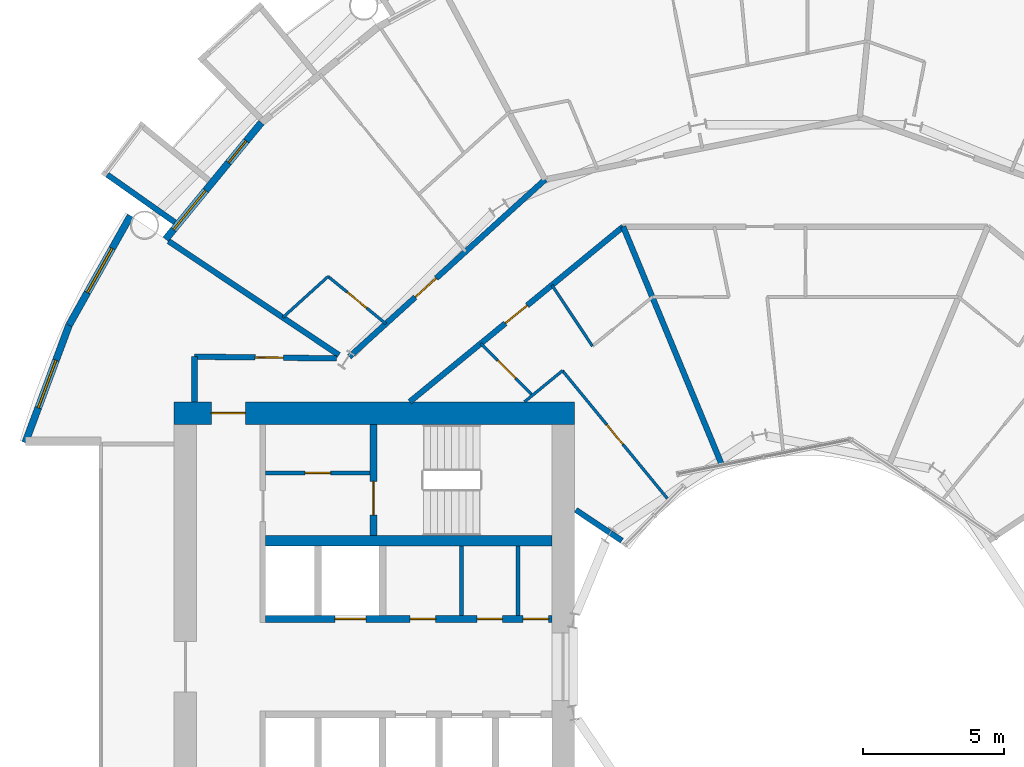
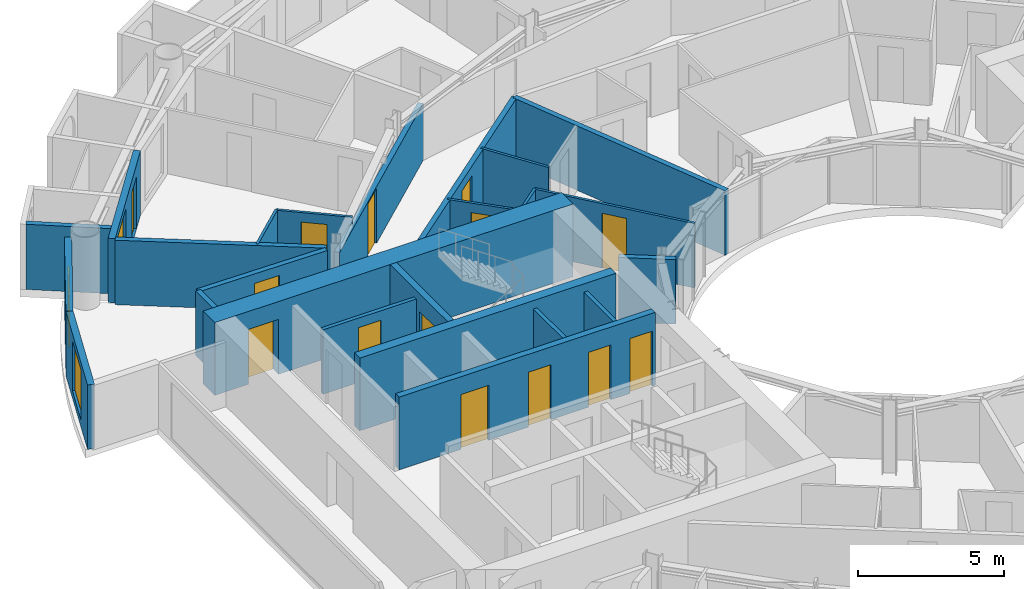
# One storey, part 18 of 26: 24 walls, 14 doors, 3 windows, 17 openings.
"""IFC4 building model written with IfcOpenShell, lengths in metres."""

from ifc_helpers import new_model, si_unit, direction, frame, frame_2d, origin, place, context, subcontext, project, spatial, rectangle, extrude, material, layer, layer_set, type_object, element, fill, save


model = new_model("IFC4")

# Units and contexts
model_context = context("Model", 3, precision=1e-05, world=origin(), true_north=direction((0.0, 1.0)))
body_context = subcontext(model_context, "Body", "Model", "MODEL_VIEW")
ifc_project = project(units=[si_unit("LENGTHUNIT", "METRE"), si_unit("AREAUNIT", "SQUARE_METRE"), si_unit("VOLUMEUNIT", "CUBIC_METRE"), si_unit("PLANEANGLEUNIT", "RADIAN"), si_unit("MASSUNIT", "GRAM", prefix="KILO")], contexts=[model_context])

# Site, building, storey
site_placement = place(None, origin())
site = spatial("IfcSite", under=ifc_project, at=site_placement, CompositionType="ELEMENT")
building_placement = place(site_placement, origin())
building = spatial("IfcBuilding", under=site, at=building_placement, Name="Maasbend Ring Residences", CompositionType="ELEMENT")
storey_placement = place(building_placement, frame((0.0, 0.0, 35.0)))
storey = spatial("IfcBuildingStorey", under=building, at=storey_placement, Name="L09", CompositionType="ELEMENT", Elevation=35.0)

# Wall, openings, doors
ifc_material_1 = material(Name="Concrete C70/85", Category="concrete")
ifc_layer_1 = layer(ifc_material_1, 0.25)
ifc_layer_set_1 = layer_set([ifc_layer_1], Name="Concrete C70/85")
wall_type_1 = type_object("IfcWallType", Name="CORE WALL 250 C70/85", PredefinedType="SHEAR", material=ifc_layer_set_1)
wall_1_placement = place(storey_placement, frame((-19.14990234375, 1.699951171875, 0.0), z_axis=(0.0, 0.0, 1.0), x_axis=(1.0, 0.0, 0.0)))
wall_1 = element("IfcWall", 1, at=wall_1_placement, inside=storey, type_object=wall_type_1, Name="L09 core W wall SPS", PredefinedType="SHEAR", context=body_context, shape_type="SweptSolid", body=[
    extrude(rectangle(XDim=10.14990234375, YDim=0.25, at=frame_2d((5.074951171875, 0.0))), origin(), (0.0, 0.0, 1.0), 3.050048828125),
])
opening_1_placement = place(wall_1_placement, frame((2.449951171875, 0.0, 0.0)))
opening_1 = element("IfcOpeningElement", 2, at=opening_1_placement, cuts=wall_1, Name="Opening LD-W0905", PredefinedType="OPENING", context=body_context, shape_type="SweptSolid", body=[
    extrude(rectangle(XDim=1.10009765625, YDim=2.300048828125, at=frame_2d((0.550048828125, 1.14990234375))), frame((0.0, 0.135009765625, 0.0), z_axis=(0.0, -1.0, 0.0), x_axis=(1.0, 0.0, 0.0)), (0.0, 0.0, 1.0), 0.27001953125),
])
opening_2_placement = place(wall_1_placement, frame((9.137451171875, 0.0, 0.0)))
opening_2 = element("IfcOpeningElement", 3, at=opening_2_placement, cuts=wall_1, Name="Opening D-W0906", PredefinedType="OPENING", context=body_context, shape_type="SweptSolid", body=[
    extrude(rectangle(XDim=0.89990234375, YDim=2.300048828125, at=frame_2d((0.449951171875, 1.14990234375))), frame((0.0, 0.135009765625, 0.0), z_axis=(0.0, -1.0, 0.0), x_axis=(1.0, 0.0, 0.0)), (0.0, 0.0, 1.0), 0.27001953125),
])
opening_3_placement = place(wall_1_placement, frame((7.5, 0.0, 0.0)))
opening_3 = element("IfcOpeningElement", 4, at=opening_3_placement, cuts=wall_1, Name="Opening D-W0907", PredefinedType="OPENING", context=body_context, shape_type="SweptSolid", body=[
    extrude(rectangle(XDim=0.89990234375, YDim=2.300048828125, at=frame_2d((0.449951171875, 1.14990234375))), frame((0.0, 0.135009765625, 0.0), z_axis=(0.0, -1.0, 0.0), x_axis=(1.0, 0.0, 0.0)), (0.0, 0.0, 1.0), 0.27001953125),
])
opening_4_placement = place(wall_1_placement, frame((5.125, 0.0, 0.0)))
opening_4 = element("IfcOpeningElement", 5, at=opening_4_placement, cuts=wall_1, Name="Opening D-W0908", PredefinedType="OPENING", context=body_context, shape_type="SweptSolid", body=[
    extrude(rectangle(XDim=0.89990234375, YDim=2.300048828125, at=frame_2d((0.449951171875, 1.14990234375))), frame((0.0, 0.135009765625, 0.0), z_axis=(0.0, -1.0, 0.0), x_axis=(1.0, 0.0, 0.0)), (0.0, 0.0, 1.0), 0.27001953125),
])
ifc_material_2 = material(Name="Stainless steel 316", Category="steel")
door_type_1 = type_object("IfcDoorType", Name="LANDING DOOR 1100 X 2300 FD60", OperationType="DOUBLE_DOOR_SLIDING", PredefinedType="DOOR", material=ifc_material_2)
door_1_placement = place(opening_1_placement, origin())
door_1 = element("IfcDoor", 6, at=door_1_placement, inside=storey, type_object=door_type_1, Name="Landing door SV-W L09", OperationType="DOUBLE_DOOR_SLIDING", OverallHeight=2.300048828125, OverallWidth=1.10009765625, PredefinedType="DOOR", context=body_context, shape_type="SweptSolid", body=[
    extrude(rectangle(XDim=1.10009765625, YDim=2.300048828125, at=frame_2d((0.550048828125, 1.14990234375))), frame((0.0, 0.02490234375, 0.0), z_axis=(0.0, -1.0, 0.0), x_axis=(1.0, 0.0, 0.0)), (0.0, 0.0, 1.0), 0.050048828125),
])
fill(opening_1, door_1)
ifc_material_3 = material(Name="Steel, powder coated", Category="steel")
door_type_2 = type_object("IfcDoorType", Name="ROOM DOOR 900 X 2300 FD30S", OperationType="NOTDEFINED", PredefinedType="DOOR", material=ifc_material_3)
door_2_placement = place(opening_2_placement, origin())
door_2 = element("IfcDoor", 7, at=door_2_placement, inside=storey, type_object=door_type_2, Name="Room door L09", OperationType="SINGLE_SWING_LEFT", OverallHeight=2.300048828125, OverallWidth=0.89990234375, PredefinedType="DOOR", context=body_context, shape_type="SweptSolid", body=[
    extrude(rectangle(XDim=0.89990234375, YDim=2.300048828125, at=frame_2d((0.449951171875, 1.14990234375))), frame((0.0, 0.02490234375, 0.0), z_axis=(0.0, -1.0, 0.0), x_axis=(1.0, 0.0, 0.0)), (0.0, 0.0, 1.0), 0.050048828125),
])
fill(opening_2, door_2)
door_3_placement = place(opening_3_placement, origin())
door_3 = element("IfcDoor", 8, at=door_3_placement, inside=storey, type_object=door_type_2, Name="Room door L09", OperationType="SINGLE_SWING_LEFT", OverallHeight=2.300048828125, OverallWidth=0.89990234375, PredefinedType="DOOR", context=body_context, shape_type="SweptSolid", body=[
    extrude(rectangle(XDim=0.89990234375, YDim=2.300048828125, at=frame_2d((0.449951171875, 1.14990234375))), frame((0.0, 0.02490234375, 0.0), z_axis=(0.0, -1.0, 0.0), x_axis=(1.0, 0.0, 0.0)), (0.0, 0.0, 1.0), 0.050048828125),
])
fill(opening_3, door_3)
door_4_placement = place(opening_4_placement, origin())
door_4 = element("IfcDoor", 9, at=door_4_placement, inside=storey, type_object=door_type_2, Name="Room door L09", OperationType="SINGLE_SWING_LEFT", OverallHeight=2.300048828125, OverallWidth=0.89990234375, PredefinedType="DOOR", context=body_context, shape_type="SweptSolid", body=[
    extrude(rectangle(XDim=0.89990234375, YDim=2.300048828125, at=frame_2d((0.449951171875, 1.14990234375))), frame((0.0, 0.02490234375, 0.0), z_axis=(0.0, -1.0, 0.0), x_axis=(1.0, 0.0, 0.0)), (0.0, 0.0, 1.0), 0.050048828125),
])
fill(opening_4, door_4)

# Wall, opening, door
wall_2_placement = place(storey_placement, frame((-15.324951171875, 8.60009765625, 0.0), z_axis=(0.0, 0.0, 1.0), x_axis=(0.0, -1.0, 0.0)))
wall_2 = element("IfcWall", 10, at=wall_2_placement, inside=storey, type_object=wall_type_1, Name="L09 core W wall STES", PredefinedType="SHEAR", context=body_context, shape_type="SweptSolid", body=[
    extrude(rectangle(XDim=3.9501953125, YDim=0.25, at=frame_2d((1.97509765625, 0.0))), origin(), (0.0, 0.0, 1.0), 3.050048828125),
])
opening_5_placement = place(wall_2_placement, frame((2.02490234375, 0.0, 0.0)))
opening_5 = element("IfcOpeningElement", 11, at=opening_5_placement, cuts=wall_2, Name="Opening D-W0911", PredefinedType="OPENING", context=body_context, shape_type="SweptSolid", body=[
    extrude(rectangle(XDim=1.199951171875, YDim=2.300048828125, at=frame_2d((0.60009765625, 1.14990234375))), frame((0.0, 0.135009765625, 0.0), z_axis=(0.0, -1.0, 0.0), x_axis=(1.0, 0.0, 0.0)), (0.0, 0.0, 1.0), 0.27001953125),
])
ifc_material_4 = material(Name="Steel, powder coated", Category="steel")
door_type_3 = type_object("IfcDoorType", Name="STAIR DOOR 1200 X 2300 FD60", OperationType="NOTDEFINED", PredefinedType="DOOR", material=ifc_material_4)
door_5_placement = place(opening_5_placement, origin())
door_5 = element("IfcDoor", 12, at=door_5_placement, inside=storey, type_object=door_type_3, Name="Stair door ST-W L09", OperationType="SINGLE_SWING_LEFT", OverallHeight=2.300048828125, OverallWidth=1.199951171875, PredefinedType="DOOR", context=body_context, shape_type="SweptSolid", body=[
    extrude(rectangle(XDim=1.199951171875, YDim=2.300048828125, at=frame_2d((0.60009765625, 1.14990234375))), frame((0.0, 0.02490234375, 0.0), z_axis=(0.0, -1.0, 0.0), x_axis=(1.0, 0.0, 0.0)), (0.0, 0.0, 1.0), 0.050048828125),
])
fill(opening_5, door_5)

# Wall
ifc_material_5 = material(Name="Concrete C70/85", Category="concrete")
ifc_layer_2 = layer(ifc_material_5, 0.375)
ifc_layer_set_2 = layer_set([ifc_layer_2], Name="Concrete C70/85")
wall_type_2 = type_object("IfcWallType", Name="CORE WALL 375 C70/85", PredefinedType="SHEAR", material=ifc_layer_set_2)
wall_3_placement = place(storey_placement, frame((-9.0, 4.46240234375, 0.0), z_axis=(0.0, 0.0, 1.0), x_axis=(-1.0, 0.0, 0.0)))
element("IfcWall", 13, at=wall_3_placement, inside=storey, type_object=wall_type_2, Name="L09 core W wall BS", PredefinedType="SHEAR", context=body_context, shape_type="SweptSolid", body=[
    extrude(rectangle(XDim=10.14990234375, YDim=0.375, at=frame_2d((5.074951171875, 0.0))), origin(), (0.0, 0.0, 1.0), 3.050048828125),
])

# Wall, opening, door
ifc_material_6 = material(Name="Concrete C70/85", Category="concrete")
ifc_layer_3 = layer(ifc_material_6, 0.800048828125)
ifc_layer_set_3 = layer_set([ifc_layer_3], Name="Concrete C70/85")
wall_type_3 = type_object("IfcWallType", Name="CORE WALL 800 C70/85", PredefinedType="SHEAR", material=ifc_layer_set_3)
wall_4_placement = place(storey_placement, frame((-8.199951171875, 9.0, 0.0), z_axis=(0.0, 0.0, 1.0), x_axis=(-1.0, 0.0, 0.0)))
wall_4 = element("IfcWall", 14, at=wall_4_placement, inside=storey, type_object=wall_type_3, Name="L09 core W wall PS", PredefinedType="SHEAR", context=body_context, shape_type="SweptSolid", body=[
    extrude(rectangle(XDim=14.199951171875, YDim=0.800048828125, at=frame_2d((7.10009765625, 0.0))), origin(), (0.0, 0.0, 1.0), 3.050048828125),
])
opening_6_placement = place(wall_4_placement, frame((11.675048828125, 0.0, 0.0)))
opening_6 = element("IfcOpeningElement", 15, at=opening_6_placement, cuts=wall_4, Name="Opening D-W0915", PredefinedType="OPENING", context=body_context, shape_type="SweptSolid", body=[
    extrude(rectangle(XDim=1.199951171875, YDim=2.300048828125, at=frame_2d((0.60009765625, 1.14990234375))), frame((0.0, 0.41015625, 0.0), z_axis=(0.0, -1.0, 0.0), x_axis=(1.0, 0.0, 0.0)), (0.0, 0.0, 1.0), 0.820068359375),
])
ifc_material_7 = material(Name="Steel, powder coated", Category="steel")
door_type_4 = type_object("IfcDoorType", Name="CORRIDOR DOOR 1200 X 2300 FD30S", OperationType="NOTDEFINED", PredefinedType="DOOR", material=ifc_material_7)
door_6_placement = place(opening_6_placement, origin())
door_6 = element("IfcDoor", 16, at=door_6_placement, inside=storey, type_object=door_type_4, Name="Corridor door L09", OperationType="SINGLE_SWING_LEFT", OverallHeight=2.300048828125, OverallWidth=1.199951171875, PredefinedType="DOOR", context=body_context, shape_type="SweptSolid", body=[
    extrude(rectangle(XDim=1.199951171875, YDim=2.300048828125, at=frame_2d((0.60009765625, 1.14990234375))), frame((0.0, 0.02490234375, 0.0), z_axis=(0.0, -1.0, 0.0), x_axis=(1.0, 0.0, 0.0)), (0.0, 0.0, 1.0), 0.050048828125),
])
fill(opening_6, door_6)

ifc_material_8 = material(Name="Concrete C30/37", Category="concrete")
ifc_layer_4 = layer(ifc_material_8, 0.199951171875)
ifc_layer_set_4 = layer_set([ifc_layer_4], Name="Concrete C30/37")
wall_type_4 = type_object("IfcWallType", Name="CORRIDOR WALL 200 CONCRETE", PredefinedType="PARTITIONING", material=ifc_layer_set_4)
wall_5_placement = place(storey_placement, frame((-21.675048828125, 11.0, 0.0), z_axis=(0.0, 0.0, 1.0), x_axis=(0.999926652916, -0.012111514691, 0.0)))
wall_5 = element("IfcWall", 17, at=wall_5_placement, inside=storey, type_object=wall_type_4, Name="U-L09-w095", PredefinedType="PARTITIONING", context=body_context, shape_type="SweptSolid", body=[
    extrude(rectangle(XDim=5.03955078125, YDim=0.199951171875, at=frame_2d((2.519775390625, 0.0))), origin(), (0.0, 0.0, 1.0), 2.699951171875),
])
opening_7_placement = place(wall_5_placement, frame((2.154052734375, 0.0, 0.0)))
opening_7 = element("IfcOpeningElement", 18, at=opening_7_placement, cuts=wall_5, Name="Opening D-0966", PredefinedType="OPENING", context=body_context, shape_type="SweptSolid", body=[
    extrude(rectangle(XDim=1.0, YDim=2.300048828125, at=frame_2d((0.5, 1.14990234375))), frame((0.0, 0.10986328125, 0.0), z_axis=(0.0, -1.0, 0.0), x_axis=(1.0, 0.0, 0.0)), (0.0, 0.0, 1.0), 0.219970703125),
])
ifc_material_9 = material(Name="Timber, painted", Category="wood")
door_type_5 = type_object("IfcDoorType", Name="ROOM DOOR 1000 X 2300", OperationType="NOTDEFINED", PredefinedType="DOOR", material=ifc_material_9)
door_7_placement = place(opening_7_placement, origin())
door_7 = element("IfcDoor", 19, at=door_7_placement, inside=storey, type_object=door_type_5, Name="D-0966", OperationType="SINGLE_SWING_RIGHT", OverallHeight=2.300048828125, OverallWidth=1.0, PredefinedType="DOOR", context=body_context, shape_type="SweptSolid", body=[
    extrude(rectangle(XDim=1.0, YDim=2.300048828125, at=frame_2d((0.5, 1.14990234375))), frame((0.0, 0.02490234375, 0.0), z_axis=(0.0, -1.0, 0.0), x_axis=(1.0, 0.0, 0.0)), (0.0, 0.0, 1.0), 0.050048828125),
])
fill(opening_7, door_7)

wall_6_placement = place(storey_placement, frame((-14.0390625, 9.39990234375, 0.0), z_axis=(0.0, 0.0, 1.0), x_axis=(0.77298340166, 0.634426245326, 0.0)))
wall_6 = element("IfcWall", 20, at=wall_6_placement, inside=storey, type_object=wall_type_4, Name="U-L09-w103", PredefinedType="PARTITIONING", context=body_context, shape_type="SweptSolid", body=[
    extrude(rectangle(XDim=9.793212890625, YDim=0.199951171875, at=frame_2d((4.896484375, 0.0))), origin(), (0.0, 0.0, 1.0), 2.699951171875),
])
opening_8_placement = place(wall_6_placement, frame((4.388916015625, 0.0, 0.0)))
opening_8 = element("IfcOpeningElement", 21, at=opening_8_placement, cuts=wall_6, Name="Opening D-0929", PredefinedType="OPENING", context=body_context, shape_type="SweptSolid", body=[
    extrude(rectangle(XDim=1.0, YDim=2.300048828125, at=frame_2d((0.5, 1.14990234375))), frame((0.0, 0.10986328125, 0.0), z_axis=(0.0, -1.0, 0.0), x_axis=(1.0, 0.0, 0.0)), (0.0, 0.0, 1.0), 0.219970703125),
])
ifc_material_10 = material(Name="Timber, fire-rated, painted", Category="wood")
door_type_6 = type_object("IfcDoorType", Name="FLAT ENTRANCE DOOR 1000 X 2300 FIRE-RATED", OperationType="NOTDEFINED", PredefinedType="DOOR", material=ifc_material_10)
door_8_placement = place(opening_8_placement, origin())
door_8 = element("IfcDoor", 22, at=door_8_placement, inside=storey, type_object=door_type_6, Name="D-0929", OperationType="SINGLE_SWING_LEFT", OverallHeight=2.300048828125, OverallWidth=1.0, PredefinedType="DOOR", context=body_context, shape_type="SweptSolid", body=[
    extrude(rectangle(XDim=1.0, YDim=2.300048828125, at=frame_2d((0.5, 1.14990234375))), frame((0.0, 0.02490234375, 0.0), z_axis=(0.0, -1.0, 0.0), x_axis=(1.0, 0.0, 0.0)), (0.0, 0.0, 1.0), 0.050048828125),
])
fill(opening_8, door_8)

wall_7_placement = place(storey_placement, frame((-16.179931640625, 10.9951171875, 0.0), z_axis=(0.0, 0.0, 1.0), x_axis=(0.74112906966, 0.671362571272, 0.0)))
wall_7 = element("IfcWall", 23, at=wall_7_placement, inside=storey, type_object=wall_type_4, Name="U-L09-w106", PredefinedType="PARTITIONING", context=body_context, shape_type="SweptSolid", body=[
    extrude(rectangle(XDim=9.375, YDim=0.199951171875, at=frame_2d((4.6875, 0.0))), origin(), (0.0, 0.0, 1.0), 2.3798828125),
])
opening_9_placement = place(wall_7_placement, frame((3.152099609375, 0.0, 0.0)))
opening_9 = element("IfcOpeningElement", 24, at=opening_9_placement, cuts=wall_7, Name="Opening D-0916", PredefinedType="OPENING", context=body_context, shape_type="SweptSolid", body=[
    extrude(rectangle(XDim=1.0, YDim=2.300048828125, at=frame_2d((0.5, 1.14990234375))), frame((0.0, 0.10986328125, 0.0), z_axis=(0.0, -1.0, 0.0), x_axis=(1.0, 0.0, 0.0)), (0.0, 0.0, 1.0), 0.219970703125),
])
door_9_placement = place(opening_9_placement, origin())
door_9 = element("IfcDoor", 25, at=door_9_placement, inside=storey, type_object=door_type_6, Name="D-0916", OperationType="SINGLE_SWING_LEFT", OverallHeight=2.300048828125, OverallWidth=1.0, PredefinedType="DOOR", context=body_context, shape_type="SweptSolid", body=[
    extrude(rectangle(XDim=1.0, YDim=2.300048828125, at=frame_2d((0.5, 1.14990234375))), frame((0.0, 0.02490234375, 0.0), z_axis=(0.0, -1.0, 0.0), x_axis=(1.0, 0.0, 0.0)), (0.0, 0.0, 1.0), 0.050048828125),
])
fill(opening_9, door_9)

# Walls
wall_8_placement = place(storey_placement, frame((-21.675048828125, 9.39990234375, 0.0), z_axis=(0.0, 0.0, 1.0), x_axis=(0.0, 1.0, 0.0)))
element("IfcWall", 26, at=wall_8_placement, inside=storey, type_object=wall_type_4, Name="U-L09-w116", PredefinedType="PARTITIONING", context=body_context, shape_type="SweptSolid", body=[
    extrude(rectangle(XDim=1.60009765625, YDim=0.199951171875, at=frame_2d((0.800048828125, 0.0))), origin(), (0.0, 0.0, 1.0), 2.699951171875),
])
ifc_material_11 = material(Name="Pale anodised aluminium panel", Category="aluminium")
ifc_layer_5 = layer(ifc_material_11, 0.199951171875)
ifc_layer_set_5 = layer_set([ifc_layer_5], Name="EW-BOX")
wall_type_5 = type_object("IfcWallType", Name="EW-BOX", PredefinedType="SOLIDWALL", material=ifc_layer_set_5)
wall_9_placement = place(storey_placement, frame((-22.3701171875, 15.764892578125, -0.030029296875), z_axis=(0.0, 0.0, 1.0), x_axis=(-0.817256123454, 0.576274612209, 0.0)))
element("IfcWall", 27, at=wall_9_placement, inside=storey, type_object=wall_type_5, Name="Box side wall N20 right", PredefinedType="SOLIDWALL", context=body_context, shape_type="SweptSolid", body=[
    extrude(rectangle(XDim=2.932861328125, YDim=0.199951171875, at=frame_2d((1.46630859375, 0.0))), origin(), (0.0, 0.0, 1.0), 2.72998046875),
])

# Wall, openings, door, window
ifc_material_12 = material(Name="Aluminium clad insulated panel", Category="aluminium")
ifc_layer_6 = layer(ifc_material_12, 0.25)
ifc_layer_set_6 = layer_set([ifc_layer_6], Name="EW-GL")
wall_type_6 = type_object("IfcWallType", Name="EW-GL", PredefinedType="SOLIDWALL", material=ifc_layer_set_6)
wall_10_placement = place(storey_placement, frame((-19.303955078125, 19.303955078125, 0.0), z_axis=(0.0, 0.0, 1.0), x_axis=(-0.634382322723, -0.773019449054, 0.0)))
wall_10 = element("IfcWall", 28, at=wall_10_placement, inside=storey, type_object=wall_type_6, Name="External wall N10", PredefinedType="SOLIDWALL", context=body_context, shape_type="SweptSolid", body=[
    extrude(rectangle(XDim=5.351806640625, YDim=0.25, at=frame_2d((2.67578125, 0.0))), origin(), (0.0, 0.0, 1.0), 2.699951171875),
])
opening_10_placement = place(wall_10_placement, frame((0.841064453125, 0.0, 0.0)))
opening_10 = element("IfcOpeningElement", 29, at=opening_10_placement, cuts=wall_10, Name="Opening D-LG", PredefinedType="OPENING", context=body_context, shape_type="SweptSolid", body=[
    extrude(rectangle(XDim=1.0, YDim=2.199951171875, at=frame_2d((0.5, 1.10009765625))), frame((0.0, 0.135009765625, 0.0), z_axis=(0.0, -1.0, 0.0), x_axis=(1.0, 0.0, 0.0)), (0.0, 0.0, 1.0), 0.27001953125),
])
opening_11_placement = place(wall_10_placement, frame((3.110595703125, 0.0, 0.300048828125)))
opening_11 = element("IfcOpeningElement", 30, at=opening_11_placement, cuts=wall_10, Name="Opening W-BX", PredefinedType="OPENING", context=body_context, shape_type="SweptSolid", body=[
    extrude(rectangle(XDim=1.800048828125, YDim=2.10009765625, at=frame_2d((0.89990234375, 1.050048828125))), frame((0.0, 0.135009765625, 0.0), z_axis=(0.0, -1.0, 0.0), x_axis=(1.0, 0.0, 0.0)), (0.0, 0.0, 1.0), 0.27001953125),
])
ifc_material_13 = material(Name="Aluminium and clear glass", Category="aluminium")
door_type_7 = type_object("IfcDoorType", Name="D-LG", OperationType="SINGLE_SWING_LEFT", PredefinedType="DOOR", material=ifc_material_13)
door_10_placement = place(opening_10_placement, origin())
door_10 = element("IfcDoor", 31, at=door_10_placement, inside=storey, type_object=door_type_7, Name="Loggia door N19", OperationType="SINGLE_SWING_LEFT", OverallHeight=2.199951171875, OverallWidth=1.0, PredefinedType="DOOR", context=body_context, shape_type="SweptSolid", body=[
    extrude(rectangle(XDim=1.0, YDim=2.199951171875, at=frame_2d((0.5, 1.10009765625))), frame((0.0, 0.02490234375, 0.0), z_axis=(0.0, -1.0, 0.0), x_axis=(1.0, 0.0, 0.0)), (0.0, 0.0, 1.0), 0.050048828125),
])
fill(opening_10, door_10)
ifc_material_14 = material(Name="Aluminium and clear glass", Category="aluminium")
window_type = type_object("IfcWindowType", Name="W-BX", PartitioningType="DOUBLE_PANEL_VERTICAL", PredefinedType="WINDOW", material=ifc_material_14)
window_1_placement = place(opening_11_placement, origin())
window_1 = element("IfcWindow", 32, at=window_1_placement, inside=storey, type_object=window_type, Name="Window N20 room to box", OverallHeight=2.10009765625, OverallWidth=1.800048828125, PartitioningType="SINGLE_PANEL", PredefinedType="WINDOW", context=body_context, shape_type="SweptSolid", body=[
    extrude(rectangle(XDim=1.800048828125, YDim=2.10009765625, at=frame_2d((0.89990234375, 1.050048828125))), frame((0.0, 0.030029296875, 0.0), z_axis=(0.0, -1.0, 0.0), x_axis=(1.0, 0.0, 0.0)), (0.0, 0.0, 1.0), 0.06005859375),
])
fill(opening_11, window_1)

# Wall, opening, window
ifc_material_15 = material(Name="Aluminium clad insulated panel", Category="aluminium")
ifc_layer_7 = layer(ifc_material_15, 0.25)
ifc_layer_set_7 = layer_set([ifc_layer_7], Name="EW-HORN")
wall_type_7 = type_object("IfcWallType", Name="EW-HORN", PredefinedType="SOLIDWALL", material=ifc_layer_set_7)
wall_11_placement = place(storey_placement, frame((-23.946044921875, 16.0, 0.0), z_axis=(0.0, 0.0, 1.0), x_axis=(-0.489696356642, -0.871893042919, 0.0)))
wall_11 = element("IfcWall", 33, at=wall_11_placement, inside=storey, type_object=wall_type_7, Name="Horn wall 4.1", PredefinedType="SOLIDWALL", context=body_context, shape_type="SweptSolid", body=[
    extrude(rectangle(XDim=4.45361328125, YDim=0.25, at=frame_2d((2.226806640625, 0.0))), origin(), (0.0, 0.0, 1.0), 2.699951171875),
])
opening_12_placement = place(wall_11_placement, frame((1.32666015625, 0.0, 0.300048828125)))
opening_12 = element("IfcOpeningElement", 34, at=opening_12_placement, cuts=wall_11, Name="Opening W-BX", PredefinedType="OPENING", context=body_context, shape_type="SweptSolid", body=[
    extrude(rectangle(XDim=1.800048828125, YDim=2.10009765625, at=frame_2d((0.89990234375, 1.050048828125))), frame((0.0, 0.135009765625, 0.0), z_axis=(0.0, -1.0, 0.0), x_axis=(1.0, 0.0, 0.0)), (0.0, 0.0, 1.0), 0.27001953125),
])
window_2_placement = place(opening_12_placement, origin())
window_2 = element("IfcWindow", 35, at=window_2_placement, inside=storey, type_object=window_type, Name="Horn window 4.1", OverallHeight=2.10009765625, OverallWidth=1.800048828125, PartitioningType="SINGLE_PANEL", PredefinedType="WINDOW", context=body_context, shape_type="SweptSolid", body=[
    extrude(rectangle(XDim=1.800048828125, YDim=2.10009765625, at=frame_2d((0.89990234375, 1.050048828125))), frame((0.0, 0.030029296875, 0.0), z_axis=(0.0, -1.0, 0.0), x_axis=(1.0, 0.0, 0.0)), (0.0, 0.0, 1.0), 0.06005859375),
])
fill(opening_12, window_2)

wall_12_placement = place(storey_placement, frame((-26.126953125, 12.116943359375, 0.0), z_axis=(0.0, 0.0, 1.0), x_axis=(-0.349247811493, -0.937030397675, 0.0)))
wall_12 = element("IfcWall", 36, at=wall_12_placement, inside=storey, type_object=wall_type_7, Name="Horn wall 4.2", PredefinedType="SOLIDWALL", context=body_context, shape_type="SweptSolid", body=[
    extrude(rectangle(XDim=4.4521484375, YDim=0.25, at=frame_2d((2.22607421875, 0.0))), origin(), (0.0, 0.0, 1.0), 2.699951171875),
])
opening_13_placement = place(wall_12_placement, frame((1.32666015625, 0.0, 0.300048828125)))
opening_13 = element("IfcOpeningElement", 37, at=opening_13_placement, cuts=wall_12, Name="Opening W-BX", PredefinedType="OPENING", context=body_context, shape_type="SweptSolid", body=[
    extrude(rectangle(XDim=1.800048828125, YDim=2.10009765625, at=frame_2d((0.89990234375, 1.050048828125))), frame((0.0, 0.135009765625, 0.0), z_axis=(0.0, -1.0, 0.0), x_axis=(1.0, 0.0, 0.0)), (0.0, 0.0, 1.0), 0.27001953125),
])
window_3_placement = place(opening_13_placement, origin())
window_3 = element("IfcWindow", 38, at=window_3_placement, inside=storey, type_object=window_type, Name="Horn window 4.2", OverallHeight=2.10009765625, OverallWidth=1.800048828125, PartitioningType="SINGLE_PANEL", PredefinedType="WINDOW", context=body_context, shape_type="SweptSolid", body=[
    extrude(rectangle(XDim=1.800048828125, YDim=2.10009765625, at=frame_2d((0.89990234375, 1.050048828125))), frame((0.0, 0.030029296875, 0.0), z_axis=(0.0, -1.0, 0.0), x_axis=(1.0, 0.0, 0.0)), (0.0, 0.0, 1.0), 0.06005859375),
])
fill(opening_13, window_3)

# Wall, opening, door
ifc_material_16 = material(Name="Gypsum board on steel studs", Category="steel")
ifc_layer_8 = layer(ifc_material_16, 0.10009765625)
ifc_layer_set_8 = layer_set([ifc_layer_8], Name="PARTITION 100 GYPSUM")
wall_type_8 = type_object("IfcWallType", Name="PARTITION 100 GYPSUM", PredefinedType="PARTITIONING", material=ifc_layer_set_8)
wall_13_placement = place(storey_placement, frame((-16.93603515625, 13.844970703125, 0.0), z_axis=(0.0, 0.0, 1.0), x_axis=(0.774162545943, -0.632986850147, 0.0)))
wall_13 = element("IfcWall", 39, at=wall_13_placement, inside=storey, type_object=wall_type_8, Name="U-L09-w033", PredefinedType="PARTITIONING", context=body_context, shape_type="SweptSolid", body=[
    extrude(rectangle(XDim=2.6494140625, YDim=0.10009765625, at=frame_2d((1.32470703125, 0.0))), origin(), (0.0, 0.0, 1.0), 2.699951171875),
])
opening_14_placement = place(wall_13_placement, frame((0.875, 0.0, 0.0)))
opening_14 = element("IfcOpeningElement", 40, at=opening_14_placement, cuts=wall_13, Name="Opening D-0917", PredefinedType="OPENING", context=body_context, shape_type="SweptSolid", body=[
    extrude(rectangle(XDim=0.89990234375, YDim=2.300048828125, at=frame_2d((0.449951171875, 1.14990234375))), frame((0.0, 0.06005859375, 0.0), z_axis=(0.0, -1.0, 0.0), x_axis=(1.0, 0.0, 0.0)), (0.0, 0.0, 1.0), 0.1201171875),
])
ifc_material_17 = material(Name="Timber, painted", Category="wood")
door_type_8 = type_object("IfcDoorType", Name="INTERNAL DOOR 900 X 2300", OperationType="NOTDEFINED", PredefinedType="DOOR", material=ifc_material_17)
door_11_placement = place(opening_14_placement, origin())
door_11 = element("IfcDoor", 41, at=door_11_placement, inside=storey, type_object=door_type_8, Name="D-0917", OperationType="SINGLE_SWING_LEFT", OverallHeight=2.300048828125, OverallWidth=0.89990234375, PredefinedType="DOOR", context=body_context, shape_type="SweptSolid", body=[
    extrude(rectangle(XDim=0.89990234375, YDim=2.300048828125, at=frame_2d((0.449951171875, 1.14990234375))), frame((0.0, 0.02490234375, 0.0), z_axis=(0.0, -1.0, 0.0), x_axis=(1.0, 0.0, 0.0)), (0.0, 0.0, 1.0), 0.050048828125),
])
fill(opening_14, door_11)

wall_14_placement = place(storey_placement, frame((-11.52392578125, 11.464111328125, 0.0), z_axis=(0.0, 0.0, 1.0), x_axis=(0.708796844581, -0.705412668665, 0.0)))
wall_14 = element("IfcWall", 42, at=wall_14_placement, inside=storey, type_object=wall_type_8, Name="U-L09-w039", PredefinedType="PARTITIONING", context=body_context, shape_type="SweptSolid", body=[
    extrude(rectangle(XDim=2.59716796875, YDim=0.10009765625, at=frame_2d((1.298583984375, 0.0))), origin(), (0.0, 0.0, 1.0), 2.699951171875),
])
opening_15_placement = place(wall_14_placement, frame((0.84912109375, 0.0, 0.0)))
opening_15 = element("IfcOpeningElement", 43, at=opening_15_placement, cuts=wall_14, Name="Opening D-0931", PredefinedType="OPENING", context=body_context, shape_type="SweptSolid", body=[
    extrude(rectangle(XDim=0.89990234375, YDim=2.300048828125, at=frame_2d((0.449951171875, 1.14990234375))), frame((0.0, 0.06005859375, 0.0), z_axis=(0.0, -1.0, 0.0), x_axis=(1.0, 0.0, 0.0)), (0.0, 0.0, 1.0), 0.1201171875),
])
door_12_placement = place(opening_15_placement, origin())
door_12 = element("IfcDoor", 44, at=door_12_placement, inside=storey, type_object=door_type_8, Name="D-0931", OperationType="SINGLE_SWING_RIGHT", OverallHeight=2.300048828125, OverallWidth=0.89990234375, PredefinedType="DOOR", context=body_context, shape_type="SweptSolid", body=[
    extrude(rectangle(XDim=0.89990234375, YDim=2.300048828125, at=frame_2d((0.449951171875, 1.14990234375))), frame((0.0, 0.02490234375, 0.0), z_axis=(0.0, -1.0, 0.0), x_axis=(1.0, 0.0, 0.0)), (0.0, 0.0, 1.0), 0.050048828125),
])
fill(opening_15, door_12)

# Wall
wall_15_placement = place(storey_placement, frame((-8.99609375, 13.5390625, 0.0), z_axis=(0.0, 0.0, 1.0), x_axis=(0.553615197403, -0.83277260594, 0.0)))
element("IfcWall", 45, at=wall_15_placement, inside=storey, type_object=wall_type_8, Name="U-L09-w041", PredefinedType="PARTITIONING", context=body_context, shape_type="SweptSolid", body=[
    extrude(rectangle(XDim=2.597412109375, YDim=0.10009765625, at=frame_2d((1.298828125, 0.0))), origin(), (0.0, 0.0, 1.0), 2.699951171875),
])

# Wall, opening, door
wall_16_placement = place(storey_placement, frame((-8.62109375, 10.5029296875, 0.0), z_axis=(0.0, 0.0, 1.0), x_axis=(0.634358693064, -0.773038840249, 0.0)))
wall_16 = element("IfcWall", 46, at=wall_16_placement, inside=storey, type_object=wall_type_8, Name="U-L09-w043", PredefinedType="PARTITIONING", context=body_context, shape_type="SweptSolid", body=[
    extrude(rectangle(XDim=5.86767578125, YDim=0.10009765625, at=frame_2d((2.933837890625, 0.0))), origin(), (0.0, 0.0, 1.0), 2.699951171875),
])
opening_16_placement = place(wall_16_placement, frame((2.48388671875, 0.0, 0.0)))
opening_16 = element("IfcOpeningElement", 47, at=opening_16_placement, cuts=wall_16, Name="Opening D-0932", PredefinedType="OPENING", context=body_context, shape_type="SweptSolid", body=[
    extrude(rectangle(XDim=0.89990234375, YDim=2.300048828125, at=frame_2d((0.449951171875, 1.14990234375))), frame((0.0, 0.06005859375, 0.0), z_axis=(0.0, -1.0, 0.0), x_axis=(1.0, 0.0, 0.0)), (0.0, 0.0, 1.0), 0.1201171875),
])
door_13_placement = place(opening_16_placement, origin())
door_13 = element("IfcDoor", 48, at=door_13_placement, inside=storey, type_object=door_type_8, Name="D-0932", OperationType="SINGLE_SWING_LEFT", OverallHeight=2.300048828125, OverallWidth=0.89990234375, PredefinedType="DOOR", context=body_context, shape_type="SweptSolid", body=[
    extrude(rectangle(XDim=0.89990234375, YDim=2.300048828125, at=frame_2d((0.449951171875, 1.14990234375))), frame((0.0, 0.02490234375, 0.0), z_axis=(0.0, -1.0, 0.0), x_axis=(1.0, 0.0, 0.0)), (0.0, 0.0, 1.0), 0.050048828125),
])
fill(opening_16, door_13)

# Walls
wall_17_placement = place(storey_placement, frame((-9.965087890625, 9.39990234375, 0.0), z_axis=(0.0, 0.0, 1.0), x_axis=(0.773141825369, 0.634233173104, 0.0)))
element("IfcWall", 49, at=wall_17_placement, inside=storey, type_object=wall_type_8, Name="U-L09-w098", PredefinedType="PARTITIONING", context=body_context, shape_type="SweptSolid", body=[
    extrude(rectangle(XDim=1.748779296875, YDim=0.10009765625, at=frame_2d((0.87451171875, 0.0))), origin(), (0.0, 0.0, 1.0), 2.699951171875),
])
wall_18_placement = place(storey_placement, frame((-18.5400390625, 12.39208984375, 0.0), z_axis=(0.0, 0.0, 1.0), x_axis=(0.741319612235, 0.671152167929, 0.0)))
element("IfcWall", 50, at=wall_18_placement, inside=storey, type_object=wall_type_8, Name="U-L09-w111", PredefinedType="PARTITIONING", context=body_context, shape_type="SweptSolid", body=[
    extrude(rectangle(XDim=2.167724609375, YDim=0.10009765625, at=frame_2d((1.083984375, 0.0))), origin(), (0.0, 0.0, 1.0), 2.699951171875),
])
ifc_material_18 = material(Name="Gypsum board on steel studs", Category="steel")
ifc_layer_9 = layer(ifc_material_18, 0.14990234375)
ifc_layer_set_9 = layer_set([ifc_layer_9], Name="PARTITION 150 EI 60")
wall_type_9 = type_object("IfcWallType", Name="PARTITION 150 EI 60", PredefinedType="PARTITIONING", material=ifc_layer_set_9)
for number, where, z_axis, x_axis, name in (
    (51, (-10.199951171875, 1.824951171875, 0.0), (0.0, 0.0, 1.0), (0.0, 1.0, 0.0), "L09 core W wall PRS1020"),
    (52, (-12.199951171875, 1.824951171875, 0.0), (0.0, 0.0, 1.0), (0.0, 1.0, 0.0), "L09 core W wall PRS1220"),
):
    element("IfcWall", number, at=place(storey_placement, frame(where, z_axis=z_axis, x_axis=x_axis)), inside=storey, type_object=wall_type_9, Name=name, PredefinedType="PARTITIONING", context=body_context, shape_type="SweptSolid", body=[
        extrude(rectangle(XDim=2.449951171875, YDim=0.14990234375, at=frame_2d((1.22509765625, 0.0))), origin(), (0.0, 0.0, 1.0), 2.699951171875),
    ])

# Wall, opening, door
wall_19_placement = place(storey_placement, frame((-15.449951171875, 6.875, 0.0), z_axis=(0.0, 0.0, 1.0), x_axis=(-1.0, 0.0, 0.0)))
wall_19 = element("IfcWall", 53, at=wall_19_placement, inside=storey, type_object=wall_type_9, Name="L09 core W wall RHS", PredefinedType="PARTITIONING", context=body_context, shape_type="SweptSolid", body=[
    extrude(rectangle(XDim=3.699951171875, YDim=0.14990234375, at=frame_2d((1.85009765625, 0.0))), origin(), (0.0, 0.0, 1.0), 2.699951171875),
])
opening_17_placement = place(wall_19_placement, frame((1.39990234375, 0.0, 0.0)))
opening_17 = element("IfcOpeningElement", 54, at=opening_17_placement, cuts=wall_19, Name="Opening D-W0909", PredefinedType="OPENING", context=body_context, shape_type="SweptSolid", body=[
    extrude(rectangle(XDim=0.89990234375, YDim=2.300048828125, at=frame_2d((0.449951171875, 1.14990234375))), frame((0.0, 0.0849609375, 0.0), z_axis=(0.0, -1.0, 0.0), x_axis=(1.0, 0.0, 0.0)), (0.0, 0.0, 1.0), 0.169921875),
])
ifc_material_19 = material(Name="Steel, powder coated", Category="steel")
door_type_9 = type_object("IfcDoorType", Name="RISER DOOR 900 X 2300 FD60", OperationType="NOTDEFINED", PredefinedType="DOOR", material=ifc_material_19)
door_14_placement = place(opening_17_placement, origin())
door_14 = element("IfcDoor", 55, at=door_14_placement, inside=storey, type_object=door_type_9, Name="Riser door L09", OperationType="SINGLE_SWING_LEFT", OverallHeight=2.300048828125, OverallWidth=0.89990234375, PredefinedType="DOOR", context=body_context, shape_type="SweptSolid", body=[
    extrude(rectangle(XDim=0.89990234375, YDim=2.300048828125, at=frame_2d((0.449951171875, 1.14990234375))), frame((0.0, 0.02490234375, 0.0), z_axis=(0.0, -1.0, 0.0), x_axis=(1.0, 0.0, 0.0)), (0.0, 0.0, 1.0), 0.050048828125),
])
fill(opening_17, door_14)

# Walls
ifc_material_20 = material(Name="Concrete C30/37", Category="concrete")
ifc_layer_10 = layer(ifc_material_20, 0.199951171875)
ifc_layer_set_10 = layer_set([ifc_layer_10], Name="Concrete C30/37")
wall_type_10 = type_object("IfcWallType", Name="PARTY WALL 200 CONCRETE", PredefinedType="PARTITIONING", material=ifc_layer_set_10)
wall_20_placement = place(storey_placement, frame((-22.594970703125, 15.097900390625, 0.0), z_axis=(0.0, 0.0, 1.0), x_axis=(0.831403467378, -0.55566921314, 0.0)))
element("IfcWall", 56, at=wall_20_placement, inside=storey, type_object=wall_type_10, Name="U-L09-w030", PredefinedType="PARTITIONING", context=body_context, shape_type="SweptSolid", body=[
    extrude(rectangle(XDim=7.264892578125, YDim=0.199951171875, at=frame_2d((3.63232421875, 0.0))), origin(), (0.0, 0.0, 1.0), 2.699951171875),
])
wall_21_placement = place(storey_placement, frame((-6.467041015625, 15.614013671875, 0.0), z_axis=(0.0, 0.0, 1.0), x_axis=(0.382556139466, -0.923932248683, 0.0)))
element("IfcWall", 57, at=wall_21_placement, inside=storey, type_object=wall_type_10, Name="U-L09-w046", PredefinedType="PARTITIONING", context=body_context, shape_type="SweptSolid", body=[
    extrude(rectangle(XDim=9.18017578125, YDim=0.199951171875, at=frame_2d((4.590087890625, 0.0))), origin(), (0.0, 0.0, 1.0), 2.699951171875),
])
wall_22_placement = place(storey_placement, frame((-6.512939453125, 4.471923828125, 0.0), z_axis=(0.0, 0.0, 1.0), x_axis=(-0.831417956244, 0.555647533996, 0.0)))
element("IfcWall", 58, at=wall_22_placement, inside=storey, type_object=wall_type_10, Name="U-L09-w092", PredefinedType="PARTITIONING", context=body_context, shape_type="SweptSolid", body=[
    extrude(rectangle(XDim=1.9619140625, YDim=0.199951171875, at=frame_2d((0.98095703125, 0.0))), origin(), (0.0, 0.0, 1.0), 2.699951171875),
])

save(model, "model.ifc")
